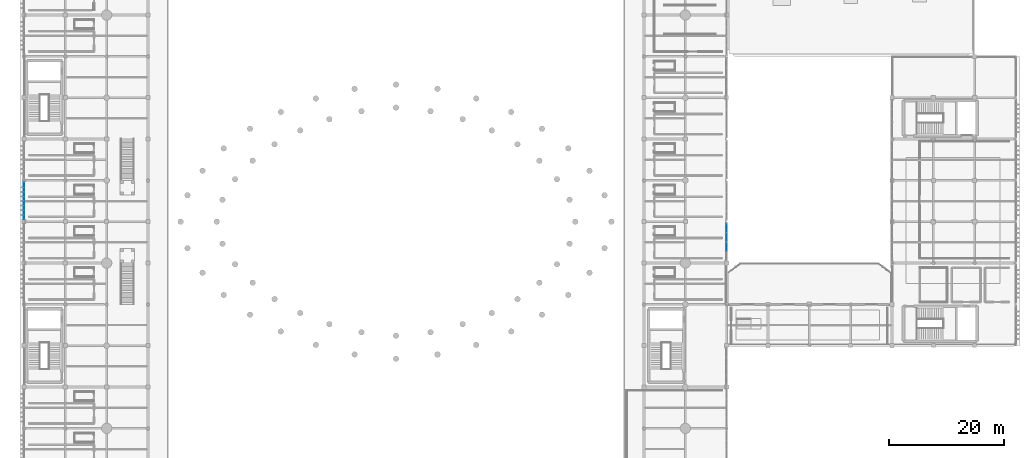
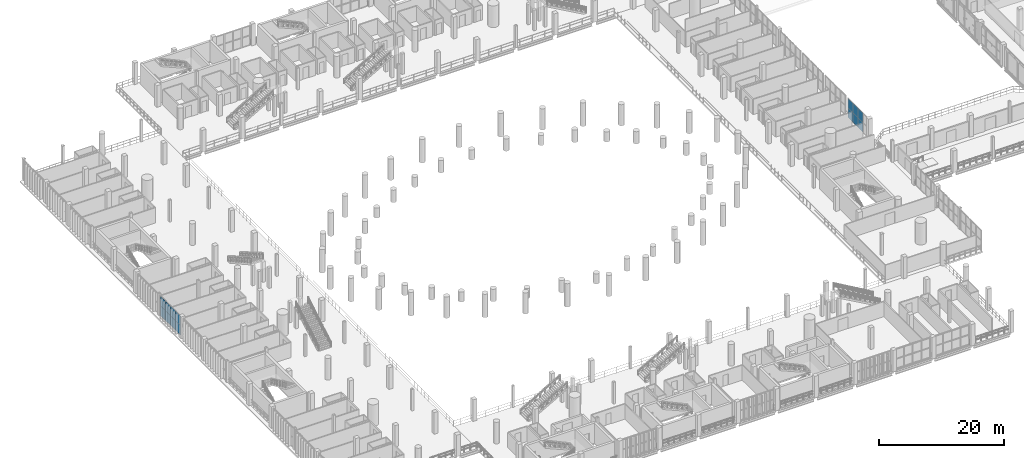
# One storey, part 92 of 130: 14 plates, 2 elements without a shape of their own.
"""IFC4 building model written with IfcOpenShell, lengths in metres."""

from ifc_helpers import new_model, si_unit, direction, frame, origin, origin_2d, place, context, subcontext, project, spatial, rectangle, extrude, material, layer, layer_set, type_object, element, aggregate, save


model = new_model("IFC4")

# Units and contexts
model_context = context("Model", 3, precision=1e-05, world=origin(), true_north=direction((0.0, 1.0)))
body_context = subcontext(model_context, "Body", "Model", "MODEL_VIEW")
ifc_project = project(units=[si_unit("LENGTHUNIT", "METRE"), si_unit("AREAUNIT", "SQUARE_METRE"), si_unit("VOLUMEUNIT", "CUBIC_METRE"), si_unit("PLANEANGLEUNIT", "RADIAN"), si_unit("MASSUNIT", "GRAM", prefix="KILO")], contexts=[model_context])

# Site, building, storey
site_placement = place(None, origin())
site = spatial("IfcSite", under=ifc_project, at=site_placement, CompositionType="ELEMENT")
building_placement = place(site_placement, origin())
building = spatial("IfcBuilding", under=site, at=building_placement, Name="Qandorah Velis Arena", CompositionType="ELEMENT")
storey_placement = place(building_placement, frame((0.0, 0.0, 9.60009765625)))
storey = spatial("IfcBuildingStorey", under=building, at=storey_placement, Name="L02", CompositionType="ELEMENT", Elevation=9.60009765625)

# Curtain wall, plates
ifc_material = material(Name="Solar-control low-E double glazing", Category="glass")
curtain_wall_type_1 = type_object("IfcCurtainWallType", Name="ARC-CW-SYS13", PredefinedType="USERDEFINED", material=ifc_material)
curtain_wall_1_placement = place(storey_placement, origin())
curtain_wall_1 = element("IfcCurtainWall", 1, at=curtain_wall_1_placement, inside=storey, type_object=curtain_wall_type_1, Name="Unitised curtain wall L02-109", ObjectType="UNITISED CURTAIN WALL", PredefinedType="USERDEFINED")
ifc_layer_1 = layer(ifc_material, 0.02392578125)
ifc_layer_set_1 = layer_set([ifc_layer_1], Name="Solar-control low-E double glazing")
plate_type_1 = type_object("IfcPlateType", Name="ARC-CWP-GLZ24", PredefinedType="CURTAIN_PANEL", material=ifc_layer_set_1)
plate_1_placement = place(storey_placement, frame((122.39990234375, 60.4375, 0.06494140625), z_axis=(0.0, 0.0, 1.0), x_axis=(0.0, 1.0, 0.0)))
plate_1 = element("IfcPlate", 2, at=plate_1_placement, type_object=plate_type_1, Name="CW13 panel 2.1", PredefinedType="CURTAIN_PANEL", context=body_context, shape_type="SweptSolid", body=[
    extrude(rectangle(XDim=1.570068359375, YDim=0.02392578125, at=origin_2d()), origin(), (0.0, 0.0, 1.0), 1.847412109375),
])
plate_2_placement = place(storey_placement, frame((122.39990234375, 60.4375, 1.96728515625), z_axis=(0.0, 0.0, 1.0), x_axis=(0.0, 1.0, 0.0)))
plate_2 = element("IfcPlate", 3, at=plate_2_placement, type_object=plate_type_1, Name="CW13 panel 2.2", PredefinedType="CURTAIN_PANEL", context=body_context, shape_type="SweptSolid", body=[
    extrude(rectangle(XDim=1.570068359375, YDim=0.02392578125, at=origin_2d()), origin(), (0.0, 0.0, 1.0), 1.847412109375),
])
plate_3_placement = place(storey_placement, frame((122.39990234375, 62.0625, 0.06494140625), z_axis=(0.0, 0.0, 1.0), x_axis=(0.0, 1.0, 0.0)))
plate_3 = element("IfcPlate", 4, at=plate_3_placement, type_object=plate_type_1, Name="CW13 panel 3.1", PredefinedType="CURTAIN_PANEL", context=body_context, shape_type="SweptSolid", body=[
    extrude(rectangle(XDim=1.570068359375, YDim=0.02392578125, at=origin_2d()), origin(), (0.0, 0.0, 1.0), 1.847412109375),
])
plate_4_placement = place(storey_placement, frame((122.39990234375, 62.0625, 1.96728515625), z_axis=(0.0, 0.0, 1.0), x_axis=(0.0, 1.0, 0.0)))
plate_4 = element("IfcPlate", 5, at=plate_4_placement, type_object=plate_type_1, Name="CW13 panel 3.2", PredefinedType="CURTAIN_PANEL", context=body_context, shape_type="SweptSolid", body=[
    extrude(rectangle(XDim=1.570068359375, YDim=0.02392578125, at=origin_2d()), origin(), (0.0, 0.0, 1.0), 1.847412109375),
])
plate_5_placement = place(storey_placement, frame((122.39990234375, 63.668701171875, 0.06494140625), z_axis=(0.0, 0.0, 1.0), x_axis=(0.0, 1.0, 0.0)))
plate_5 = element("IfcPlate", 6, at=plate_5_placement, type_object=plate_type_1, Name="CW13 panel 4.1", PredefinedType="CURTAIN_PANEL", context=body_context, shape_type="SweptSolid", body=[
    extrude(rectangle(XDim=1.532470703125, YDim=0.02392578125, at=origin_2d()), origin(), (0.0, 0.0, 1.0), 1.847412109375),
])
plate_6_placement = place(storey_placement, frame((122.39990234375, 63.668701171875, 1.96728515625), z_axis=(0.0, 0.0, 1.0), x_axis=(0.0, 1.0, 0.0)))
plate_6 = element("IfcPlate", 7, at=plate_6_placement, type_object=plate_type_1, Name="CW13 panel 4.2", PredefinedType="CURTAIN_PANEL", context=body_context, shape_type="SweptSolid", body=[
    extrude(rectangle(XDim=1.532470703125, YDim=0.02392578125, at=origin_2d()), origin(), (0.0, 0.0, 1.0), 1.847412109375),
])
aggregate(curtain_wall_1, [plate_1, plate_2, plate_3, plate_4, plate_5, plate_6])

curtain_wall_type_2 = type_object("IfcCurtainWallType", Name="ARC-CW-SYS16", PredefinedType="USERDEFINED", material=ifc_material)
curtain_wall_2_placement = place(storey_placement, origin())
curtain_wall_2 = element("IfcCurtainWall", 8, at=curtain_wall_2_placement, inside=storey, type_object=curtain_wall_type_2, Name="Unitised curtain wall L02-016", ObjectType="UNITISED CURTAIN WALL", PredefinedType="USERDEFINED")
ifc_layer_2 = layer(ifc_material, 0.035888671875)
ifc_layer_set_2 = layer_set([ifc_layer_2], Name="Solar-control low-E double glazing")
plate_type_2 = type_object("IfcPlateType", Name="ARC-CWP-GLZ36", PredefinedType="CURTAIN_PANEL", material=ifc_layer_set_2)
plate_7_placement = place(storey_placement, frame((0.0, 66.00439453125, 0.044921875), z_axis=(0.0, 0.0, 1.0), x_axis=(0.0, 1.0, 0.0)))
plate_7 = element("IfcPlate", 9, at=plate_7_placement, type_object=plate_type_2, Name="CW16 panel 1.1", PredefinedType="CURTAIN_PANEL", context=body_context, shape_type="SweptSolid", body=[
    extrude(rectangle(XDim=1.56884765625, YDim=0.035888671875, at=origin_2d()), origin(), (0.0, 0.0, 1.0), 1.87744140625),
])
plate_8_placement = place(storey_placement, frame((0.0, 66.00439453125, 1.95751953125), z_axis=(0.0, 0.0, 1.0), x_axis=(0.0, 1.0, 0.0)))
plate_8 = element("IfcPlate", 10, at=plate_8_placement, type_object=plate_type_2, Name="CW16 panel 1.2", PredefinedType="CURTAIN_PANEL", context=body_context, shape_type="SweptSolid", body=[
    extrude(rectangle(XDim=1.56884765625, YDim=0.035888671875, at=origin_2d()), origin(), (0.0, 0.0, 1.0), 1.87744140625),
])
plate_9_placement = place(storey_placement, frame((0.0, 67.621826171875, 0.044921875), z_axis=(0.0, 0.0, 1.0), x_axis=(0.0, 1.0, 0.0)))
plate_9 = element("IfcPlate", 11, at=plate_9_placement, type_object=plate_type_2, Name="CW16 panel 2.1", PredefinedType="CURTAIN_PANEL", context=body_context, shape_type="SweptSolid", body=[
    extrude(rectangle(XDim=1.59619140625, YDim=0.035888671875, at=origin_2d()), origin(), (0.0, 0.0, 1.0), 1.87744140625),
])
plate_10_placement = place(storey_placement, frame((0.0, 67.621826171875, 1.95751953125), z_axis=(0.0, 0.0, 1.0), x_axis=(0.0, 1.0, 0.0)))
plate_10 = element("IfcPlate", 12, at=plate_10_placement, type_object=plate_type_2, Name="CW16 panel 2.2", PredefinedType="CURTAIN_PANEL", context=body_context, shape_type="SweptSolid", body=[
    extrude(rectangle(XDim=1.59619140625, YDim=0.035888671875, at=origin_2d()), origin(), (0.0, 0.0, 1.0), 1.87744140625),
])
plate_11_placement = place(storey_placement, frame((0.0, 69.253173828125, 0.044921875), z_axis=(0.0, 0.0, 1.0), x_axis=(0.0, 1.0, 0.0)))
plate_11 = element("IfcPlate", 13, at=plate_11_placement, type_object=plate_type_2, Name="CW16 panel 3.1", PredefinedType="CURTAIN_PANEL", context=body_context, shape_type="SweptSolid", body=[
    extrude(rectangle(XDim=1.59619140625, YDim=0.035888671875, at=origin_2d()), origin(), (0.0, 0.0, 1.0), 1.87744140625),
])
plate_12_placement = place(storey_placement, frame((0.0, 69.253173828125, 1.95751953125), z_axis=(0.0, 0.0, 1.0), x_axis=(0.0, 1.0, 0.0)))
plate_12 = element("IfcPlate", 14, at=plate_12_placement, type_object=plate_type_2, Name="CW16 panel 3.2", PredefinedType="CURTAIN_PANEL", context=body_context, shape_type="SweptSolid", body=[
    extrude(rectangle(XDim=1.59619140625, YDim=0.035888671875, at=origin_2d()), origin(), (0.0, 0.0, 1.0), 1.87744140625),
])
plate_13_placement = place(storey_placement, frame((0.0, 70.87060546875, 0.044921875), z_axis=(0.0, 0.0, 1.0), x_axis=(0.0, 1.0, 0.0)))
plate_13 = element("IfcPlate", 15, at=plate_13_placement, type_object=plate_type_2, Name="CW16 panel 4.1", PredefinedType="CURTAIN_PANEL", context=body_context, shape_type="SweptSolid", body=[
    extrude(rectangle(XDim=1.56884765625, YDim=0.035888671875, at=origin_2d()), origin(), (0.0, 0.0, 1.0), 1.87744140625),
])
plate_14_placement = place(storey_placement, frame((0.0, 70.87060546875, 1.95751953125), z_axis=(0.0, 0.0, 1.0), x_axis=(0.0, 1.0, 0.0)))
plate_14 = element("IfcPlate", 16, at=plate_14_placement, type_object=plate_type_2, Name="CW16 panel 4.2", PredefinedType="CURTAIN_PANEL", context=body_context, shape_type="SweptSolid", body=[
    extrude(rectangle(XDim=1.56884765625, YDim=0.035888671875, at=origin_2d()), origin(), (0.0, 0.0, 1.0), 1.87744140625),
])
aggregate(curtain_wall_2, [plate_7, plate_8, plate_9, plate_10, plate_11, plate_12, plate_13, plate_14])

save(model, "model.ifc")
